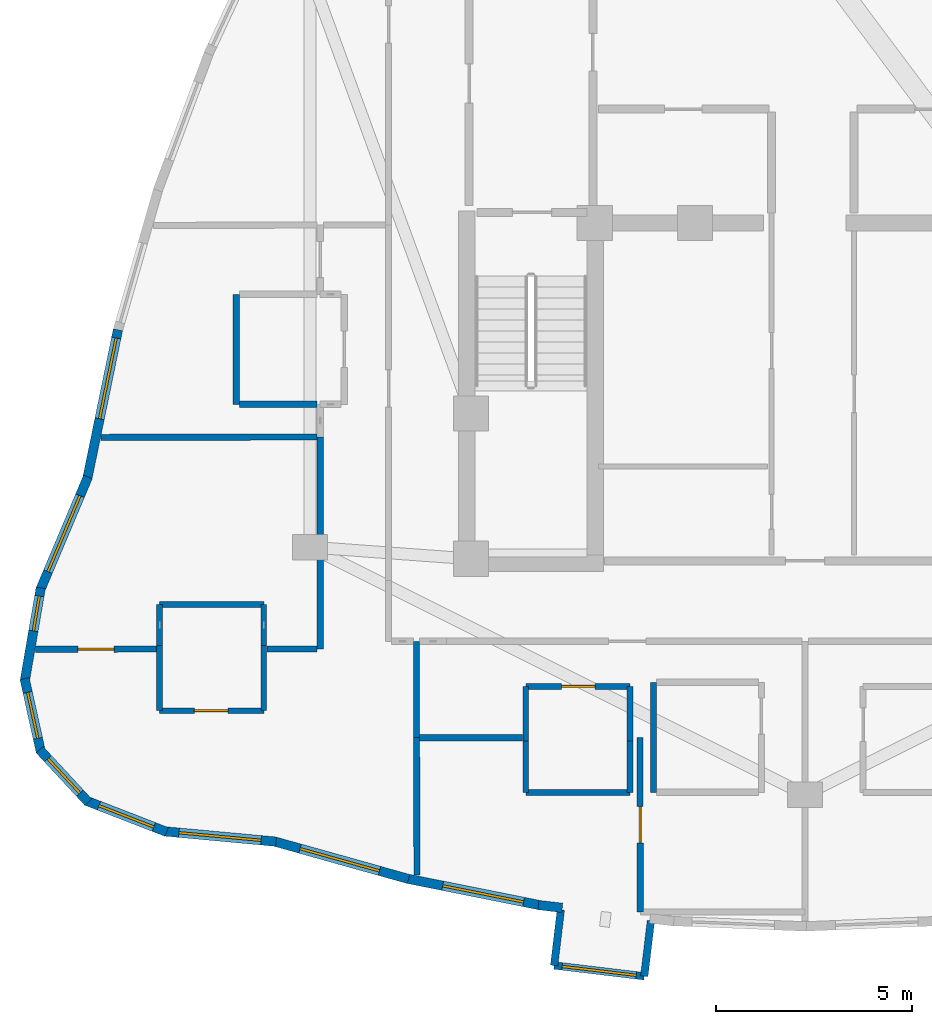
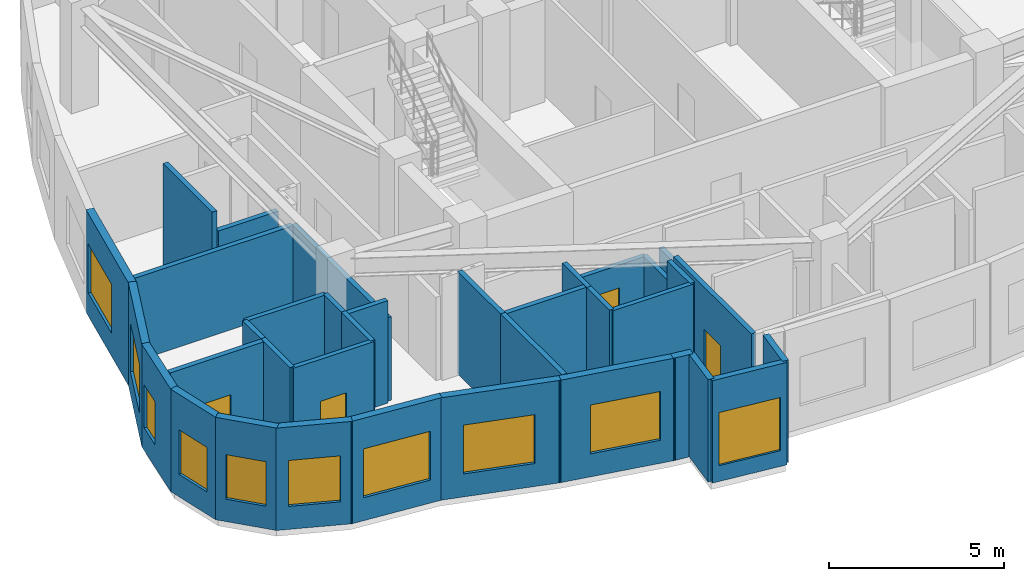
# One storey, part 7 of 13: 36 walls, 10 windows, 4 doors, 14 openings.
"""IFC4 building model written with IfcOpenShell, lengths in metres."""

from ifc_helpers import new_model, si_unit, direction, frame, frame_2d, origin, place, context, subcontext, project, spatial, rectangle, extrude, material, layer, layer_set, type_object, element, fill, save


model = new_model("IFC4")

# Units and contexts
model_context = context("Model", 3, precision=1e-05, world=origin(), true_north=direction((0.0, 1.0)))
body_context = subcontext(model_context, "Body", "Model", "MODEL_VIEW")
ifc_project = project(units=[si_unit("LENGTHUNIT", "METRE"), si_unit("AREAUNIT", "SQUARE_METRE"), si_unit("VOLUMEUNIT", "CUBIC_METRE"), si_unit("PLANEANGLEUNIT", "RADIAN"), si_unit("MASSUNIT", "GRAM", prefix="KILO")], contexts=[model_context])

# Site, building, storey
site_placement = place(None, origin())
site = spatial("IfcSite", under=ifc_project, at=site_placement, CompositionType="ELEMENT")
building_placement = place(site_placement, origin())
building = spatial("IfcBuilding", under=site, at=building_placement, Name="Miruveldt Soraemaru", CompositionType="ELEMENT")
storey_placement = place(building_placement, frame((0.0, 0.0, 255.85009765625)))
storey = spatial("IfcBuildingStorey", under=building, at=storey_placement, Name="L70", CompositionType="ELEMENT", Elevation=255.85009765625)

# Walls
ifc_material_1 = material(Name="White powder-coated aluminium EN AW-6060 T6", Category="aluminium")
ifc_layer_1 = layer(ifc_material_1, 0.18994140625, Name="White powder-coated aluminium EN AW-6060 T6", Category="aluminium")
ifc_layer_set_1 = layer_set([ifc_layer_1], Name="White powder-coated aluminium EN AW-6060 T6")
wall_type_1 = type_object("IfcWallType", Name="WALL-BAY-ALU190", PredefinedType="SOLIDWALL", material=ifc_layer_set_1)
for number, where, z_axis, x_axis, name in (
    (1, (37.783935546875, 26.564697265625, 0.0), (0.0, 0.0, 1.0), (-0.119077659317, -0.992884943511, 0.0), "L70 Bay Window Side Cheek 1L"),
    (2, (39.90869140625, 24.87451171875, 0.0), (0.0, 0.0, 1.0), (0.119246559468, 0.992864672579, 0.0), "L70 Bay Window Side Cheek 1R"),
):
    element("IfcWall", number, at=place(storey_placement, frame(where, z_axis=z_axis, x_axis=x_axis)), inside=storey, type_object=wall_type_1, Name=name, PredefinedType="SOLIDWALL", context=body_context, shape_type="SweptSolid", body=[
        extrude(rectangle(XDim=1.425048828125, YDim=0.18994140625, at=frame_2d((0.71240234375, 0.0))), origin(), (0.0, 0.0, 1.0), 3.56494140625),
    ])

# Wall, opening, window
wall_1_placement = place(storey_placement, frame((37.6142578125, 25.14990234375, 0.0), z_axis=(0.0, 0.0, 1.0), x_axis=(0.992873838721, -0.119170216012, 0.0)))
wall_1 = element("IfcWall", 3, at=wall_1_placement, inside=storey, type_object=wall_type_1, Name="L70 Bay Window Front Frame 1", PredefinedType="SOLIDWALL", context=body_context, shape_type="SweptSolid", body=[
    extrude(rectangle(XDim=2.310791015625, YDim=0.18994140625, at=frame_2d((1.1552734375, 0.0))), origin(), (0.0, 0.0, 1.0), 3.56494140625),
])
opening_1_placement = place(wall_1_placement, frame((0.2060546875, 0.0, 0.550048828125)))
opening_1 = element("IfcOpeningElement", 4, at=opening_1_placement, cuts=wall_1, Name="Opening WN-6", PredefinedType="OPENING", context=body_context, shape_type="SweptSolid", body=[
    extrude(rectangle(XDim=1.89990234375, YDim=1.85009765625, at=frame_2d((0.949951171875, 0.925048828125))), frame((0.0, 0.10498046875, 0.0), z_axis=(0.0, -1.0, 0.0), x_axis=(1.0, 0.0, 0.0)), (0.0, 0.0, 1.0), 0.2099609375),
])
ifc_material_2 = material(Name="Triple low-e insulated glazing", Category="glass")
window_type_1 = type_object("IfcWindowType", Name="WIN-BAYW-1900x1850", PartitioningType="SINGLE_PANEL", PredefinedType="WINDOW", material=ifc_material_2)
window_1_placement = place(opening_1_placement, origin())
window_1 = element("IfcWindow", 5, at=window_1_placement, inside=storey, type_object=window_type_1, Name="L70 Projecting Bay Window 1", OverallHeight=1.85009765625, OverallWidth=1.89990234375, PartitioningType="SINGLE_PANEL", PredefinedType="WINDOW", context=body_context, shape_type="SweptSolid", body=[
    extrude(rectangle(XDim=1.89990234375, YDim=1.85009765625, at=frame_2d((0.949951171875, 0.925048828125))), frame((0.0, 0.030029296875, 0.0), z_axis=(0.0, -1.0, 0.0), x_axis=(1.0, 0.0, 0.0)), (0.0, 0.0, 1.0), 0.06005859375),
])
fill(opening_1, window_1)

ifc_material_3 = material(Name="Precast concrete C45/55 (45 MPa)", Category="concrete")
ifc_layer_2 = layer(ifc_material_3, 0.239990234375, Name="Precast concrete C45/55 (45 MPa)", Category="concrete")
ifc_layer_set_2 = layer_set([ifc_layer_2], Name="Precast concrete C45/55 (45 MPa)")
wall_type_2 = type_object("IfcWallType", Name="WALL-EXT-PC240", PredefinedType="SOLIDWALL", material=ifc_layer_set_2)
wall_2_placement = place(storey_placement, frame((26.51025390625, 41.334716796875, 0.0), z_axis=(0.0, 0.0, 1.0), x_axis=(-0.201598089636, -0.979468330399, 0.0)))
wall_2 = element("IfcWall", 6, at=wall_2_placement, inside=storey, type_object=wall_type_2, Name="L70 Precast Concrete Facade Wall 14", PredefinedType="SOLIDWALL", context=body_context, shape_type="SweptSolid", body=[
    extrude(rectangle(XDim=3.894775390625, YDim=0.239990234375, at=frame_2d((1.947265625, 0.0))), origin(), (0.0, 0.0, 1.0), 3.56494140625),
])
opening_2_placement = place(wall_2_placement, frame((0.216064453125, 0.0, 0.800048828125)))
opening_2 = element("IfcOpeningElement", 7, at=opening_2_placement, cuts=wall_2, Name="Opening WN-1", PredefinedType="OPENING", context=body_context, shape_type="SweptSolid", body=[
    extrude(rectangle(XDim=2.10009765625, YDim=1.699951171875, at=frame_2d((1.050048828125, 0.85009765625))), frame((0.0, 0.1298828125, 0.0), z_axis=(0.0, -1.0, 0.0), x_axis=(1.0, 0.0, 0.0)), (0.0, 0.0, 1.0), 0.260009765625),
])
window_type_2 = type_object("IfcWindowType", Name="WIN-PUNCH-2100x1700", PartitioningType="SINGLE_PANEL", PredefinedType="WINDOW", material=ifc_material_2)
window_2_placement = place(opening_2_placement, origin())
window_2 = element("IfcWindow", 8, at=window_2_placement, inside=storey, type_object=window_type_2, Name="L70 Punched Triple-Glazed Window 14.1", OverallHeight=1.699951171875, OverallWidth=2.10009765625, PartitioningType="SINGLE_PANEL", PredefinedType="WINDOW", context=body_context, shape_type="SweptSolid", body=[
    extrude(rectangle(XDim=2.10009765625, YDim=1.699951171875, at=frame_2d((1.050048828125, 0.85009765625))), frame((0.0, 0.030029296875, 0.0), z_axis=(0.0, -1.0, 0.0), x_axis=(1.0, 0.0, 0.0)), (0.0, 0.0, 1.0), 0.06005859375),
])
fill(opening_2, window_2)

wall_3_placement = place(storey_placement, frame((25.745849609375, 37.586669921875, 0.0), z_axis=(0.0, 0.0, 1.0), x_axis=(-0.388606577421, -0.921403781187, 0.0)))
wall_3 = element("IfcWall", 9, at=wall_3_placement, inside=storey, type_object=wall_type_2, Name="L70 Precast Concrete Facade Wall 15", PredefinedType="SOLIDWALL", context=body_context, shape_type="SweptSolid", body=[
    extrude(rectangle(XDim=3.137451171875, YDim=0.239990234375, at=frame_2d((1.56884765625, 0.0))), origin(), (0.0, 0.0, 1.0), 3.56494140625),
])
opening_3_placement = place(wall_3_placement, frame((0.51904296875, 0.0, 0.800048828125)))
opening_3 = element("IfcOpeningElement", 10, at=opening_3_placement, cuts=wall_3, Name="Opening WN-1", PredefinedType="OPENING", context=body_context, shape_type="SweptSolid", body=[
    extrude(rectangle(XDim=2.10009765625, YDim=1.699951171875, at=frame_2d((1.050048828125, 0.85009765625))), frame((0.0, 0.1298828125, 0.0), z_axis=(0.0, -1.0, 0.0), x_axis=(1.0, 0.0, 0.0)), (0.0, 0.0, 1.0), 0.260009765625),
])
window_3_placement = place(opening_3_placement, origin())
window_3 = element("IfcWindow", 11, at=window_3_placement, inside=storey, type_object=window_type_2, Name="L70 Punched Triple-Glazed Window 15.1", OverallHeight=1.699951171875, OverallWidth=2.10009765625, PartitioningType="SINGLE_PANEL", PredefinedType="WINDOW", context=body_context, shape_type="SweptSolid", body=[
    extrude(rectangle(XDim=2.10009765625, YDim=1.699951171875, at=frame_2d((1.050048828125, 0.85009765625))), frame((0.0, 0.030029296875, 0.0), z_axis=(0.0, -1.0, 0.0), x_axis=(1.0, 0.0, 0.0)), (0.0, 0.0, 1.0), 0.06005859375),
])
fill(opening_3, window_3)

wall_4_placement = place(storey_placement, frame((24.5458984375, 34.762451171875, 0.0), z_axis=(0.0, 0.0, 1.0), x_axis=(-0.169328349246, -0.98555969385, 0.0)))
wall_4 = element("IfcWall", 12, at=wall_4_placement, inside=storey, type_object=wall_type_2, Name="L70 Precast Concrete Facade Wall 16", PredefinedType="SOLIDWALL", context=body_context, shape_type="SweptSolid", body=[
    extrude(rectangle(XDim=2.41650390625, YDim=0.239990234375, at=frame_2d((1.208251953125, 0.0))), origin(), (0.0, 0.0, 1.0), 3.56494140625),
])
opening_4_placement = place(wall_4_placement, frame((0.2119140625, 0.0, 0.780029296875)))
opening_4 = element("IfcOpeningElement", 13, at=opening_4_placement, cuts=wall_4, Name="Opening WN-7", PredefinedType="OPENING", context=body_context, shape_type="SweptSolid", body=[
    extrude(rectangle(XDim=0.89990234375, YDim=1.5, at=frame_2d((0.449951171875, 0.75))), frame((0.0, 0.1298828125, 0.0), z_axis=(0.0, -1.0, 0.0), x_axis=(1.0, 0.0, 0.0)), (0.0, 0.0, 1.0), 0.260009765625),
])
window_type_3 = type_object("IfcWindowType", Name="WIN-PUNCH-900x1500", PartitioningType="SINGLE_PANEL", PredefinedType="WINDOW", material=ifc_material_2)
window_4_placement = place(opening_4_placement, origin())
window_4 = element("IfcWindow", 14, at=window_4_placement, inside=storey, type_object=window_type_3, Name="L70 Punched Triple-Glazed Window 16.1", OverallHeight=1.5, OverallWidth=0.89990234375, PartitioningType="SINGLE_PANEL", PredefinedType="WINDOW", context=body_context, shape_type="SweptSolid", body=[
    extrude(rectangle(XDim=0.89990234375, YDim=1.5, at=frame_2d((0.449951171875, 0.75))), frame((0.0, 0.030029296875, 0.0), z_axis=(0.0, -1.0, 0.0), x_axis=(1.0, 0.0, 0.0)), (0.0, 0.0, 1.0), 0.06005859375),
])
fill(opening_4, window_4)

wall_5_placement = place(storey_placement, frame((24.135009765625, 32.449462890625, 0.0), z_axis=(0.0, 0.0, 1.0), x_axis=(0.215794628874, -0.976438773374, 0.0)))
wall_5 = element("IfcWall", 15, at=wall_5_placement, inside=storey, type_object=wall_type_2, Name="L70 Precast Concrete Facade Wall 17", PredefinedType="SOLIDWALL", context=body_context, shape_type="SweptSolid", body=[
    extrude(rectangle(XDim=1.912109375, YDim=0.239990234375, at=frame_2d((0.9560546875, 0.0))), origin(), (0.0, 0.0, 1.0), 3.56494140625),
])
opening_5_placement = place(wall_5_placement, frame((0.35595703125, 0.0, 0.780029296875)))
opening_5 = element("IfcOpeningElement", 16, at=opening_5_placement, cuts=wall_5, Name="Opening WN-4", PredefinedType="OPENING", context=body_context, shape_type="SweptSolid", body=[
    extrude(rectangle(XDim=1.199951171875, YDim=1.550048828125, at=frame_2d((0.60009765625, 0.77490234375))), frame((0.0, 0.1298828125, 0.0), z_axis=(0.0, -1.0, 0.0), x_axis=(1.0, 0.0, 0.0)), (0.0, 0.0, 1.0), 0.260009765625),
])
window_type_4 = type_object("IfcWindowType", Name="WIN-PUNCH-1200x1550", PartitioningType="SINGLE_PANEL", PredefinedType="WINDOW", material=ifc_material_2)
window_5_placement = place(opening_5_placement, origin())
window_5 = element("IfcWindow", 17, at=window_5_placement, inside=storey, type_object=window_type_4, Name="L70 Punched Triple-Glazed Window 17.1", OverallHeight=1.550048828125, OverallWidth=1.199951171875, PartitioningType="SINGLE_PANEL", PredefinedType="WINDOW", context=body_context, shape_type="SweptSolid", body=[
    extrude(rectangle(XDim=1.199951171875, YDim=1.550048828125, at=frame_2d((0.60009765625, 0.77490234375))), frame((0.0, 0.030029296875, 0.0), z_axis=(0.0, -1.0, 0.0), x_axis=(1.0, 0.0, 0.0)), (0.0, 0.0, 1.0), 0.06005859375),
])
fill(opening_5, window_5)

wall_6_placement = place(storey_placement, frame((24.516357421875, 30.642333984375, 0.0), z_axis=(0.0, 0.0, 1.0), x_axis=(0.680158207142, -0.733065354015, 0.0)))
wall_6 = element("IfcWall", 18, at=wall_6_placement, inside=storey, type_object=wall_type_2, Name="L70 Precast Concrete Facade Wall 18", PredefinedType="SOLIDWALL", context=body_context, shape_type="SweptSolid", body=[
    extrude(rectangle(XDim=1.82275390625, YDim=0.239990234375, at=frame_2d((0.911376953125, 0.0))), origin(), (0.0, 0.0, 1.0), 3.56494140625),
])
opening_6_placement = place(wall_6_placement, frame((0.31103515625, 0.0, 0.780029296875)))
opening_6 = element("IfcOpeningElement", 19, at=opening_6_placement, cuts=wall_6, Name="Opening WN-4", PredefinedType="OPENING", context=body_context, shape_type="SweptSolid", body=[
    extrude(rectangle(XDim=1.199951171875, YDim=1.550048828125, at=frame_2d((0.60009765625, 0.77490234375))), frame((0.0, 0.1298828125, 0.0), z_axis=(0.0, -1.0, 0.0), x_axis=(1.0, 0.0, 0.0)), (0.0, 0.0, 1.0), 0.260009765625),
])
window_6_placement = place(opening_6_placement, origin())
window_6 = element("IfcWindow", 20, at=window_6_placement, inside=storey, type_object=window_type_4, Name="L70 Punched Triple-Glazed Window 18.1", OverallHeight=1.550048828125, OverallWidth=1.199951171875, PartitioningType="SINGLE_PANEL", PredefinedType="WINDOW", context=body_context, shape_type="SweptSolid", body=[
    extrude(rectangle(XDim=1.199951171875, YDim=1.550048828125, at=frame_2d((0.60009765625, 0.77490234375))), frame((0.0, 0.030029296875, 0.0), z_axis=(0.0, -1.0, 0.0), x_axis=(1.0, 0.0, 0.0)), (0.0, 0.0, 1.0), 0.06005859375),
])
fill(opening_6, window_6)

wall_7_placement = place(storey_placement, frame((25.69970703125, 29.344482421875, 0.0), z_axis=(0.0, 0.0, 1.0), x_axis=(0.932289565547, -0.361712822516, 0.0)))
wall_7 = element("IfcWall", 21, at=wall_7_placement, inside=storey, type_object=wall_type_2, Name="L70 Precast Concrete Facade Wall 19", PredefinedType="SOLIDWALL", context=body_context, shape_type="SweptSolid", body=[
    extrude(rectangle(XDim=2.200927734375, YDim=0.239990234375, at=frame_2d((1.1005859375, 0.0))), origin(), (0.0, 0.0, 1.0), 3.56494140625),
])
opening_7_placement = place(wall_7_placement, frame((0.35107421875, 0.0, 0.800048828125)))
opening_7 = element("IfcOpeningElement", 22, at=opening_7_placement, cuts=wall_7, Name="Opening WN-3", PredefinedType="OPENING", context=body_context, shape_type="SweptSolid", body=[
    extrude(rectangle(XDim=1.5, YDim=1.60009765625, at=frame_2d((0.75, 0.800048828125))), frame((0.0, 0.1298828125, 0.0), z_axis=(0.0, -1.0, 0.0), x_axis=(1.0, 0.0, 0.0)), (0.0, 0.0, 1.0), 0.260009765625),
])
window_type_5 = type_object("IfcWindowType", Name="WIN-PUNCH-1500x1600", PartitioningType="SINGLE_PANEL", PredefinedType="WINDOW", material=ifc_material_2)
window_7_placement = place(opening_7_placement, origin())
window_7 = element("IfcWindow", 23, at=window_7_placement, inside=storey, type_object=window_type_5, Name="L70 Punched Triple-Glazed Window 19.1", OverallHeight=1.60009765625, OverallWidth=1.5, PartitioningType="SINGLE_PANEL", PredefinedType="WINDOW", context=body_context, shape_type="SweptSolid", body=[
    extrude(rectangle(XDim=1.5, YDim=1.60009765625, at=frame_2d((0.75, 0.800048828125))), frame((0.0, 0.030029296875, 0.0), z_axis=(0.0, -1.0, 0.0), x_axis=(1.0, 0.0, 0.0)), (0.0, 0.0, 1.0), 0.06005859375),
])
fill(opening_7, window_7)

wall_8_placement = place(storey_placement, frame((27.68408203125, 28.564208984375, 0.0), z_axis=(0.0, 0.0, 1.0), x_axis=(0.99576007386, -0.091988452029, 0.0)))
wall_8 = element("IfcWall", 24, at=wall_8_placement, inside=storey, type_object=wall_type_2, Name="L70 Precast Concrete Facade Wall 20", PredefinedType="SOLIDWALL", context=body_context, shape_type="SweptSolid", body=[
    extrude(rectangle(XDim=2.86376953125, YDim=0.239990234375, at=frame_2d((1.431884765625, 0.0))), origin(), (0.0, 0.0, 1.0), 3.56494140625),
])
opening_8_placement = place(wall_8_placement, frame((0.382080078125, 0.0, 0.800048828125)))
opening_8 = element("IfcOpeningElement", 25, at=opening_8_placement, cuts=wall_8, Name="Opening WN-1", PredefinedType="OPENING", context=body_context, shape_type="SweptSolid", body=[
    extrude(rectangle(XDim=2.10009765625, YDim=1.699951171875, at=frame_2d((1.050048828125, 0.85009765625))), frame((0.0, 0.1298828125, 0.0), z_axis=(0.0, -1.0, 0.0), x_axis=(1.0, 0.0, 0.0)), (0.0, 0.0, 1.0), 0.260009765625),
])
window_8_placement = place(opening_8_placement, origin())
window_8 = element("IfcWindow", 26, at=window_8_placement, inside=storey, type_object=window_type_2, Name="L70 Punched Triple-Glazed Window 20.1", OverallHeight=1.699951171875, OverallWidth=2.10009765625, PartitioningType="SINGLE_PANEL", PredefinedType="WINDOW", context=body_context, shape_type="SweptSolid", body=[
    extrude(rectangle(XDim=2.10009765625, YDim=1.699951171875, at=frame_2d((1.050048828125, 0.85009765625))), frame((0.0, 0.030029296875, 0.0), z_axis=(0.0, -1.0, 0.0), x_axis=(1.0, 0.0, 0.0)), (0.0, 0.0, 1.0), 0.06005859375),
])
fill(opening_8, window_8)

wall_9_placement = place(storey_placement, frame((30.467041015625, 28.3134765625, 0.0), z_axis=(0.0, 0.0, 1.0), x_axis=(0.962959054134, -0.269647659105, 0.0)))
wall_9 = element("IfcWall", 27, at=wall_9_placement, inside=storey, type_object=wall_type_2, Name="L70 Precast Concrete Facade Wall 21", PredefinedType="SOLIDWALL", context=body_context, shape_type="SweptSolid", body=[
    extrude(rectangle(XDim=3.574462890625, YDim=0.239990234375, at=frame_2d((1.787109375, 0.0))), origin(), (0.0, 0.0, 1.0), 3.56494140625),
])
opening_9_placement = place(wall_9_placement, frame((0.70703125, 0.0, 0.800048828125)))
opening_9 = element("IfcOpeningElement", 28, at=opening_9_placement, cuts=wall_9, Name="Opening WN-1", PredefinedType="OPENING", context=body_context, shape_type="SweptSolid", body=[
    extrude(rectangle(XDim=2.10009765625, YDim=1.699951171875, at=frame_2d((1.050048828125, 0.85009765625))), frame((0.0, 0.1298828125, 0.0), z_axis=(0.0, -1.0, 0.0), x_axis=(1.0, 0.0, 0.0)), (0.0, 0.0, 1.0), 0.260009765625),
])
window_9_placement = place(opening_9_placement, origin())
window_9 = element("IfcWindow", 29, at=window_9_placement, inside=storey, type_object=window_type_2, Name="L70 Punched Triple-Glazed Window 21.1", OverallHeight=1.699951171875, OverallWidth=2.10009765625, PartitioningType="SINGLE_PANEL", PredefinedType="WINDOW", context=body_context, shape_type="SweptSolid", body=[
    extrude(rectangle(XDim=2.10009765625, YDim=1.699951171875, at=frame_2d((1.050048828125, 0.85009765625))), frame((0.0, 0.030029296875, 0.0), z_axis=(0.0, -1.0, 0.0), x_axis=(1.0, 0.0, 0.0)), (0.0, 0.0, 1.0), 0.06005859375),
])
fill(opening_9, window_9)

wall_10_placement = place(storey_placement, frame((33.84130859375, 27.365966796875, 0.0), z_axis=(0.0, 0.0, 1.0), x_axis=(0.980578001568, -0.196129505277, 0.0)))
wall_10 = element("IfcWall", 30, at=wall_10_placement, inside=storey, type_object=wall_type_2, Name="L70 Precast Concrete Facade Wall 22", PredefinedType="SOLIDWALL", context=body_context, shape_type="SweptSolid", body=[
    extrude(rectangle(XDim=3.511474609375, YDim=0.239990234375, at=frame_2d((1.755859375, 0.0))), origin(), (0.0, 0.0, 1.0), 3.56494140625),
])
opening_10_placement = place(wall_10_placement, frame((0.9560546875, 0.0, 0.800048828125)))
opening_10 = element("IfcOpeningElement", 31, at=opening_10_placement, cuts=wall_10, Name="Opening WN-1", PredefinedType="OPENING", context=body_context, shape_type="SweptSolid", body=[
    extrude(rectangle(XDim=2.10009765625, YDim=1.699951171875, at=frame_2d((1.050048828125, 0.85009765625))), frame((0.0, 0.1298828125, 0.0), z_axis=(0.0, -1.0, 0.0), x_axis=(1.0, 0.0, 0.0)), (0.0, 0.0, 1.0), 0.260009765625),
])
window_10_placement = place(opening_10_placement, origin())
window_10 = element("IfcWindow", 32, at=window_10_placement, inside=storey, type_object=window_type_2, Name="L70 Punched Triple-Glazed Window 22.1", OverallHeight=1.699951171875, OverallWidth=2.10009765625, PartitioningType="SINGLE_PANEL", PredefinedType="WINDOW", context=body_context, shape_type="SweptSolid", body=[
    extrude(rectangle(XDim=2.10009765625, YDim=1.699951171875, at=frame_2d((1.050048828125, 0.85009765625))), frame((0.0, 0.030029296875, 0.0), z_axis=(0.0, -1.0, 0.0), x_axis=(1.0, 0.0, 0.0)), (0.0, 0.0, 1.0), 0.06005859375),
])
fill(opening_10, window_10)

# Wall
wall_11_placement = place(storey_placement, frame((37.215576171875, 26.688232421875, 0.0), z_axis=(0.0, 0.0, 1.0), x_axis=(0.992888214359, -0.119050383393, 0.0)))
element("IfcWall", 33, at=wall_11_placement, inside=storey, type_object=wall_type_2, Name="L70 Precast Pier Wall 23A", PredefinedType="SOLIDWALL", context=body_context, shape_type="SweptSolid", body=[
    extrude(rectangle(XDim=0.609130859375, YDim=0.239990234375, at=frame_2d((0.3046875, 0.0))), origin(), (0.0, 0.0, 1.0), 3.56494140625),
])

# Wall, opening, door
ifc_material_4 = material(Name="Gypsum plasterboard lining", Category="gypsum")
ifc_layer_3 = layer(ifc_material_4, 0.14990234375, Name="Gypsum plasterboard lining", Category="gypsum")
ifc_layer_set_3 = layer_set([ifc_layer_3], Name="Gypsum plasterboard lining")
wall_type_3 = type_object("IfcWallType", Name="WALL-INT-PLUMB", PredefinedType="PLUMBINGWALL", material=ifc_layer_set_3)
wall_12_placement = place(storey_placement, frame((27.572998046875, 31.635009765625, 0.0), z_axis=(0.0, 0.0, 1.0), x_axis=(1.0, 0.0, 0.0)))
wall_12 = element("IfcWall", 34, at=wall_12_placement, inside=storey, type_object=wall_type_3, Name="L70 Partition Wall 29", PredefinedType="PLUMBINGWALL", context=body_context, shape_type="SweptSolid", body=[
    extrude(rectangle(XDim=2.64990234375, YDim=0.14990234375, at=frame_2d((1.324951171875, 0.0))), origin(), (0.0, 0.0, 1.0), 3.56494140625),
])
opening_11_placement = place(wall_12_placement, frame((0.885009765625, 0.0, 0.0)))
opening_11 = element("IfcOpeningElement", 35, at=opening_11_placement, cuts=wall_12, Name="Opening FD3", PredefinedType="OPENING", context=body_context, shape_type="SweptSolid", body=[
    extrude(rectangle(XDim=0.85009765625, YDim=2.10009765625, at=frame_2d((0.425048828125, 1.050048828125))), frame((0.0, 0.0849609375, 0.0), z_axis=(0.0, -1.0, 0.0), x_axis=(1.0, 0.0, 0.0)), (0.0, 0.0, 1.0), 0.169921875),
])
ifc_material_5 = material(Name="Anodised aluminium EN AW-6063 T6", Category="aluminium")
door_type_1 = type_object("IfcDoorType", Name="DOOR-FD3-850", OperationType="NOTDEFINED", PredefinedType="DOOR", material=ifc_material_5)
door_1_placement = place(opening_11_placement, origin())
door_1 = element("IfcDoor", 36, at=door_1_placement, inside=storey, type_object=door_type_1, Name="L70 Unit 7002 BTH Door", OperationType="SINGLE_SWING_RIGHT", OverallHeight=2.10009765625, OverallWidth=0.85009765625, PredefinedType="DOOR", context=body_context, shape_type="SweptSolid", body=[
    extrude(rectangle(XDim=0.85009765625, YDim=2.10009765625, at=frame_2d((0.425048828125, 1.050048828125))), frame((0.0, 0.02490234375, 0.0), z_axis=(0.0, -1.0, 0.0), x_axis=(1.0, 0.0, 0.0)), (0.0, 0.0, 1.0), 0.050048828125),
])
fill(opening_11, door_1)

wall_13_placement = place(storey_placement, frame((39.5419921875, 32.256103515625, 0.0), z_axis=(0.0, 0.0, 1.0), x_axis=(-1.0, 0.0, 0.0)))
wall_13 = element("IfcWall", 37, at=wall_13_placement, inside=storey, type_object=wall_type_3, Name="L70 Partition Wall 48", PredefinedType="PLUMBINGWALL", context=body_context, shape_type="SweptSolid", body=[
    extrude(rectangle(XDim=2.64990234375, YDim=0.14990234375, at=frame_2d((1.324951171875, 0.0))), origin(), (0.0, 0.0, 1.0), 2.90283203125),
])
opening_12_placement = place(wall_13_placement, frame((0.885009765625, 0.0, 0.0)))
opening_12 = element("IfcOpeningElement", 38, at=opening_12_placement, cuts=wall_13, Name="Opening FD3", PredefinedType="OPENING", context=body_context, shape_type="SweptSolid", body=[
    extrude(rectangle(XDim=0.85009765625, YDim=2.10009765625, at=frame_2d((0.425048828125, 1.050048828125))), frame((0.0, 0.0849609375, 0.0), z_axis=(0.0, -1.0, 0.0), x_axis=(1.0, 0.0, 0.0)), (0.0, 0.0, 1.0), 0.169921875),
])
door_2_placement = place(opening_12_placement, origin())
door_2 = element("IfcDoor", 39, at=door_2_placement, inside=storey, type_object=door_type_1, Name="L70 Unit 7003 BTH Door", OperationType="SINGLE_SWING_LEFT", OverallHeight=2.10009765625, OverallWidth=0.85009765625, PredefinedType="DOOR", context=body_context, shape_type="SweptSolid", body=[
    extrude(rectangle(XDim=0.85009765625, YDim=2.10009765625, at=frame_2d((0.425048828125, 1.050048828125))), frame((0.0, 0.02490234375, 0.0), z_axis=(0.0, -1.0, 0.0), x_axis=(1.0, 0.0, 0.0)), (0.0, 0.0, 1.0), 0.050048828125),
])
fill(opening_12, door_2)

# Walls
for number, where, z_axis, x_axis, name in (
    (40, (30.222900390625, 34.3349609375, 0.0), (0.0, 0.0, 1.0), (-1.0, 0.0, 0.0), "L70 Partition Wall 41"),
    (41, (36.89208984375, 29.555908203125, 0.0), (0.0, 0.0, 1.0), (1.0, 0.0, 0.0), "L70 Partition Wall 58"),
):
    element("IfcWall", number, at=place(storey_placement, frame(where, z_axis=z_axis, x_axis=x_axis)), inside=storey, type_object=wall_type_3, Name=name, PredefinedType="PLUMBINGWALL", context=body_context, shape_type="SweptSolid", body=[
        extrude(rectangle(XDim=2.64990234375, YDim=0.14990234375, at=frame_2d((1.324951171875, 0.0))), origin(), (0.0, 0.0, 1.0), 3.56494140625),
    ])
for number, where, z_axis, x_axis, name in (
    (42, (30.222900390625, 31.635009765625, 0.0), (0.0, 0.0, 1.0), (0.0, 1.0, 0.0), "L70 Partition Wall 27"),
    (43, (27.572998046875, 33.2958984375, 0.0), (0.0, 0.0, 1.0), (0.0, -1.0, 0.0), "L70 Partition Wall 28"),
):
    element("IfcWall", number, at=place(storey_placement, frame(where, z_axis=z_axis, x_axis=x_axis)), inside=storey, type_object=wall_type_3, Name=name, PredefinedType="PLUMBINGWALL", context=body_context, shape_type="SweptSolid", body=[
        extrude(rectangle(XDim=1.660888671875, YDim=0.14990234375, at=frame_2d((0.83056640625, 0.0))), origin(), (0.0, 0.0, 1.0), 3.56494140625),
    ])
wall_14_placement = place(storey_placement, frame((39.5419921875, 30.860107421875, 0.0), z_axis=(0.0, 0.0, 1.0), x_axis=(0.0, 1.0, 0.0)))
element("IfcWall", 44, at=wall_14_placement, inside=storey, type_object=wall_type_3, Name="L70 Partition Wall 47", PredefinedType="PLUMBINGWALL", context=body_context, shape_type="SweptSolid", body=[
    extrude(rectangle(XDim=1.39599609375, YDim=0.14990234375, at=frame_2d((0.697998046875, 0.0))), origin(), (0.0, 0.0, 1.0), 2.90283203125),
])
wall_15_placement = place(storey_placement, frame((36.89208984375, 32.256103515625, 0.0), z_axis=(0.0, 0.0, 1.0), x_axis=(0.0, -1.0, 0.0)))
element("IfcWall", 45, at=wall_15_placement, inside=storey, type_object=wall_type_3, Name="L70 Partition Wall 49", PredefinedType="PLUMBINGWALL", context=body_context, shape_type="SweptSolid", body=[
    extrude(rectangle(XDim=1.39599609375, YDim=0.14990234375, at=frame_2d((0.697998046875, 0.0))), origin(), (0.0, 0.0, 1.0), 3.56494140625),
])
for number, where, z_axis, x_axis, name in (
    (46, (36.89208984375, 30.860107421875, 0.0), (0.0, 0.0, 1.0), (0.0, -1.0, 0.0), "L70 Partition Wall 57"),
    (47, (39.5419921875, 29.555908203125, 0.0), (0.0, 0.0, 1.0), (0.0, 1.0, 0.0), "L70 Partition Wall 59"),
):
    element("IfcWall", number, at=place(storey_placement, frame(where, z_axis=z_axis, x_axis=x_axis)), inside=storey, type_object=wall_type_3, Name=name, PredefinedType="PLUMBINGWALL", context=body_context, shape_type="SweptSolid", body=[
        extrude(rectangle(XDim=1.30419921875, YDim=0.14990234375, at=frame_2d((0.652099609375, 0.0))), origin(), (0.0, 0.0, 1.0), 3.56494140625),
    ])
for number, where, z_axis, x_axis, name in (
    (48, (30.222900390625, 33.2958984375, 0.0), (0.0, 0.0, 1.0), (0.0, 1.0, 0.0), "L70 Partition Wall 40"),
    (49, (27.572998046875, 34.3349609375, 0.0), (0.0, 0.0, 1.0), (0.0, -1.0, 0.0), "L70 Partition Wall 42"),
):
    element("IfcWall", number, at=place(storey_placement, frame(where, z_axis=z_axis, x_axis=x_axis)), inside=storey, type_object=wall_type_3, Name=name, PredefinedType="PLUMBINGWALL", context=body_context, shape_type="SweptSolid", body=[
        extrude(rectangle(XDim=1.0390625, YDim=0.14990234375, at=frame_2d((0.51953125, 0.0))), origin(), (0.0, 0.0, 1.0), 3.56494140625),
    ])

# Wall, opening, door
ifc_material_6 = material(Name="Concrete C40/50 (40 MPa)", Category="concrete")
ifc_layer_4 = layer(ifc_material_6, 0.159912109375, Name="Concrete C40/50 (40 MPa)", Category="concrete")
ifc_layer_set_4 = layer_set([ifc_layer_4], Name="Concrete C40/50 (40 MPa)")
wall_type_4 = type_object("IfcWallType", Name="WALL-INT-RC160", PredefinedType="SOLIDWALL", material=ifc_layer_set_4)
wall_16_placement = place(storey_placement, frame((39.800048828125, 30.949951171875, 0.0), z_axis=(0.0, 0.0, 1.0), x_axis=(0.001540660656, -0.999998813182, 0.0)))
wall_16 = element("IfcWall", 50, at=wall_16_placement, inside=storey, type_object=wall_type_4, Name="L70 Partition Wall 55", PredefinedType="SOLIDWALL", context=body_context, shape_type="SweptSolid", body=[
    extrude(rectangle(XDim=4.43701171875, YDim=0.159912109375, at=frame_2d((2.218505859375, 0.0))), origin(), (0.0, 0.0, 1.0), 3.56494140625),
])
opening_13_placement = place(wall_16_placement, frame((1.759033203125, 0.0, 0.0)))
opening_13 = element("IfcOpeningElement", 51, at=opening_13_placement, cuts=wall_16, Name="Opening D3A", PredefinedType="OPENING", context=body_context, shape_type="SweptSolid", body=[
    extrude(rectangle(XDim=0.919921875, YDim=2.10009765625, at=frame_2d((0.4599609375, 1.050048828125))), frame((0.0, 0.08984375, 0.0), z_axis=(0.0, -1.0, 0.0), x_axis=(1.0, 0.0, 0.0)), (0.0, 0.0, 1.0), 0.179931640625),
])
door_type_2 = type_object("IfcDoorType", Name="DOOR-INT-920", OperationType="NOTDEFINED", PredefinedType="DOOR", material=ifc_material_5)
door_3_placement = place(opening_13_placement, origin())
door_3 = element("IfcDoor", 52, at=door_3_placement, inside=storey, type_object=door_type_2, Name="L70 Unit 7003 BD1 Door", OperationType="SINGLE_SWING_LEFT", OverallHeight=2.10009765625, OverallWidth=0.919921875, PredefinedType="DOOR", context=body_context, shape_type="SweptSolid", body=[
    extrude(rectangle(XDim=0.919921875, YDim=2.10009765625, at=frame_2d((0.4599609375, 1.050048828125))), frame((0.0, 0.02490234375, 0.0), z_axis=(0.0, -1.0, 0.0), x_axis=(1.0, 0.0, 0.0)), (0.0, 0.0, 1.0), 0.050048828125),
])
fill(opening_13, door_3)

wall_17_placement = place(storey_placement, frame((27.492919921875, 33.2060546875, 0.0), z_axis=(0.0, 0.0, 1.0), x_axis=(-0.999995696007, -0.002933933927, 0.0)))
wall_17 = element("IfcWall", 53, at=wall_17_placement, inside=storey, type_object=wall_type_4, Name="L70 Partition Wall 35", PredefinedType="SOLIDWALL", context=body_context, shape_type="SweptSolid", body=[
    extrude(rectangle(XDim=3.078857421875, YDim=0.159912109375, at=frame_2d((1.53955078125, 0.0))), origin(), (0.0, 0.0, 1.0), 3.56494140625),
])
opening_14_placement = place(wall_17_placement, frame((1.080078125, 0.0, 0.0)))
opening_14 = element("IfcOpeningElement", 54, at=opening_14_placement, cuts=wall_17, Name="Opening D3A", PredefinedType="OPENING", context=body_context, shape_type="SweptSolid", body=[
    extrude(rectangle(XDim=0.919921875, YDim=2.10009765625, at=frame_2d((0.4599609375, 1.050048828125))), frame((0.0, 0.08984375, 0.0), z_axis=(0.0, -1.0, 0.0), x_axis=(1.0, 0.0, 0.0)), (0.0, 0.0, 1.0), 0.179931640625),
])
door_4_placement = place(opening_14_placement, origin())
door_4 = element("IfcDoor", 55, at=door_4_placement, inside=storey, type_object=door_type_2, Name="L70 Unit 7002 BD1 Door", OperationType="SINGLE_SWING_RIGHT", OverallHeight=2.10009765625, OverallWidth=0.919921875, PredefinedType="DOOR", context=body_context, shape_type="SweptSolid", body=[
    extrude(rectangle(XDim=0.919921875, YDim=2.10009765625, at=frame_2d((0.4599609375, 1.050048828125))), frame((0.0, 0.02490234375, 0.0), z_axis=(0.0, -1.0, 0.0), x_axis=(1.0, 0.0, 0.0)), (0.0, 0.0, 1.0), 0.050048828125),
])
fill(opening_14, door_4)

# Walls
wall_18_placement = place(storey_placement, frame((31.58203125, 38.60302734375, 0.0), z_axis=(0.0, 0.0, 1.0), x_axis=(-0.999998003557, -0.001998219812, 0.0)))
element("IfcWall", 56, at=wall_18_placement, inside=storey, type_object=wall_type_4, Name="L70 Partition Wall 46", PredefinedType="SOLIDWALL", context=body_context, shape_type="SweptSolid", body=[
    extrude(rectangle(XDim=5.498046875, YDim=0.159912109375, at=frame_2d((2.7490234375, 0.0))), origin(), (0.0, 0.0, 1.0), 2.90283203125),
])
wall_19_placement = place(storey_placement, frame((31.662109375, 38.60302734375, 0.0), z_axis=(0.0, 0.0, 1.0), x_axis=(0.0, -1.0, 0.0)))
element("IfcWall", 57, at=wall_19_placement, inside=storey, type_object=wall_type_4, Name="L70 Partition Wall 33", PredefinedType="SOLIDWALL", context=body_context, shape_type="SweptSolid", body=[
    extrude(rectangle(XDim=5.39697265625, YDim=0.159912109375, at=frame_2d((2.698486328125, 0.0))), origin(), (0.0, 0.0, 1.0), 2.90283203125),
])
wall_20_placement = place(storey_placement, frame((34.123046875, 27.447021484375, 0.0), z_axis=(0.0, 0.0, 1.0), x_axis=(-0.003136310195, 0.999995081767, 0.0)))
element("IfcWall", 58, at=wall_20_placement, inside=storey, type_object=wall_type_4, Name="L70 Partition Wall 39", PredefinedType="SOLIDWALL", context=body_context, shape_type="SweptSolid", body=[
    extrude(rectangle(XDim=3.5029296875, YDim=0.159912109375, at=frame_2d((1.75146484375, 0.0))), origin(), (0.0, 0.0, 1.0), 3.56494140625),
])
wall_21_placement = place(storey_placement, frame((40.14208984375, 32.35595703125, 0.0), z_axis=(0.0, 0.0, 1.0), x_axis=(0.0, -1.0, 0.0)))
element("IfcWall", 59, at=wall_21_placement, inside=storey, type_object=wall_type_4, Name="L70 Partition Wall 52", PredefinedType="SOLIDWALL", context=body_context, shape_type="SweptSolid", body=[
    extrude(rectangle(XDim=2.800048828125, YDim=0.159912109375, at=frame_2d((1.39990234375, 0.0))), origin(), (0.0, 0.0, 1.0), 2.90283203125),
])
wall_22_placement = place(storey_placement, frame((29.52294921875, 42.235107421875, 0.0), z_axis=(0.0, 0.0, 1.0), x_axis=(0.0, -1.0, 0.0)))
element("IfcWall", 60, at=wall_22_placement, inside=storey, type_object=wall_type_4, Name="L70 Partition Wall 44", PredefinedType="SOLIDWALL", context=body_context, shape_type="SweptSolid", body=[
    extrude(rectangle(XDim=2.800048828125, YDim=0.159912109375, at=frame_2d((1.39990234375, 0.0))), origin(), (0.0, 0.0, 1.0), 3.56494140625),
])
wall_23_placement = place(storey_placement, frame((34.19189453125, 30.949951171875, 0.0), z_axis=(0.0, 0.0, 1.0), x_axis=(1.0, 0.0, 0.0)))
element("IfcWall", 61, at=wall_23_placement, inside=storey, type_object=wall_type_4, Name="L70 Partition Wall 54", PredefinedType="SOLIDWALL", context=body_context, shape_type="SweptSolid", body=[
    extrude(rectangle(XDim=2.6201171875, YDim=0.159912109375, at=frame_2d((1.31005859375, 0.0))), origin(), (0.0, 0.0, 1.0), 3.56494140625),
])
wall_24_placement = place(storey_placement, frame((34.112060546875, 30.949951171875, 0.0), z_axis=(0.0, 0.0, 1.0), x_axis=(0.0, 1.0, 0.0)))
element("IfcWall", 62, at=wall_24_placement, inside=storey, type_object=wall_type_4, Name="L70 Partition Wall 38", PredefinedType="SOLIDWALL", context=body_context, shape_type="SweptSolid", body=[
    extrude(rectangle(XDim=2.449951171875, YDim=0.159912109375, at=frame_2d((1.22509765625, 0.0))), origin(), (0.0, 0.0, 1.0), 3.56494140625),
])
wall_25_placement = place(storey_placement, frame((29.60302734375, 39.43505859375, 0.0), z_axis=(0.0, 0.0, 1.0), x_axis=(1.0, 0.0, 0.0)))
element("IfcWall", 63, at=wall_25_placement, inside=storey, type_object=wall_type_4, Name="L70 Partition Wall 45", PredefinedType="SOLIDWALL", context=body_context, shape_type="SweptSolid", body=[
    extrude(rectangle(XDim=1.97900390625, YDim=0.159912109375, at=frame_2d((0.989501953125, 0.0))), origin(), (0.0, 0.0, 1.0), 2.90283203125),
])
wall_26_placement = place(storey_placement, frame((31.58203125, 33.2060546875, 0.0), z_axis=(0.0, 0.0, 1.0), x_axis=(-1.0, 0.0, 0.0)))
element("IfcWall", 64, at=wall_26_placement, inside=storey, type_object=wall_type_4, Name="L70 Partition Wall 34", PredefinedType="SOLIDWALL", context=body_context, shape_type="SweptSolid", body=[
    extrude(rectangle(XDim=1.279052734375, YDim=0.159912109375, at=frame_2d((0.6396484375, 0.0))), origin(), (0.0, 0.0, 1.0), 3.56494140625),
])

save(model, "model.ifc")
